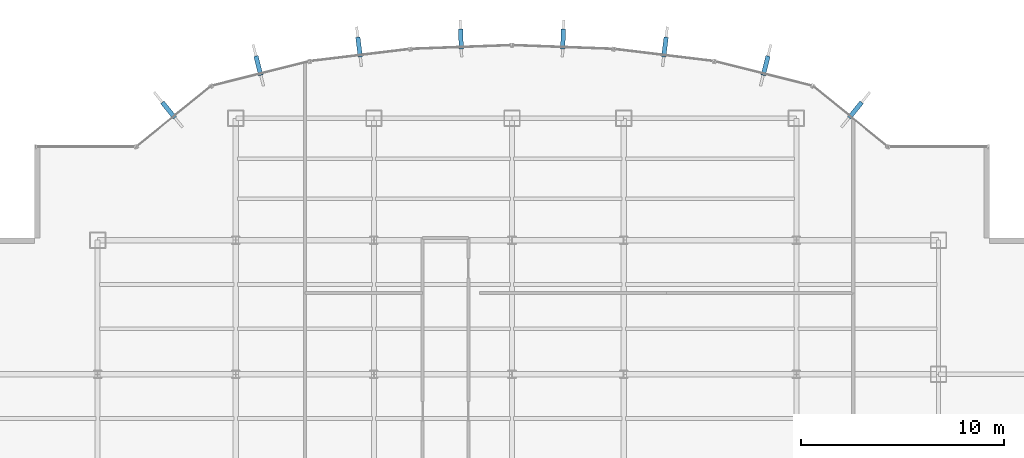
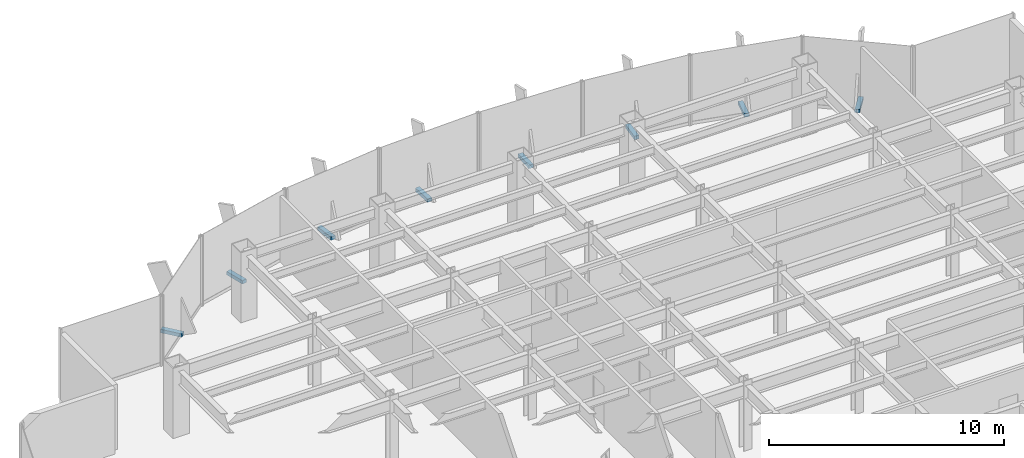
# One storey, part 23 of 26: 8 discrete accessories.
"""IFC4 building model written with IfcOpenShell, lengths in metres."""

from ifc_helpers import new_model, si_unit, derived_unit, direction, frame, origin, origin_2d, place, context, subcontext, project, spatial, rectangle, extrude, source, transform, mapped, material, type_object, element, save


model = new_model("IFC4")

# Units and contexts
model_context = context("Model", 3, precision=1e-05, world=origin(), true_north=direction((0.0, 1.0)))
body_context = subcontext(model_context, "Body", "Model", "MODEL_VIEW")
ifc_project = project(units=[si_unit("LENGTHUNIT", "METRE"), si_unit("AREAUNIT", "SQUARE_METRE"), si_unit("VOLUMEUNIT", "CUBIC_METRE"), si_unit("PLANEANGLEUNIT", "RADIAN"), si_unit("MASSUNIT", "GRAM", prefix="KILO"), derived_unit("THERMALTRANSMITTANCEUNIT", [(si_unit("POWERUNIT", "WATT"), 1), (si_unit("LENGTHUNIT", "METRE"), -2), (si_unit("THERMODYNAMICTEMPERATUREUNIT", "KELVIN"), -1)])], contexts=[model_context])

# Site, building, storey
site_placement = place(None, origin())
site = spatial("IfcSite", under=ifc_project, at=site_placement, CompositionType="ELEMENT")
building_placement = place(site_placement, origin())
building = spatial("IfcBuilding", under=site, at=building_placement, Name="Skarnbrae Concourse Arena and Tower", CompositionType="ELEMENT")
storey_placement = place(building_placement, frame((0.0, 0.0, 95.949951171875)))
storey = spatial("IfcBuildingStorey", under=building, at=storey_placement, Name="L23", CompositionType="ELEMENT", Elevation=95.949951171875)

# Discrete accessories
ifc_material = material(Name="Bronze anodised aluminium 6063-T6", Category="aluminium")
discrete_accessory_type = type_object("IfcDiscreteAccessoryType", Name="ACC-FIN-BRACKET", PredefinedType="BRACKET", material=ifc_material)
shared_shape = source(origin(), body_context, "Body", "SweptSolid", [
    extrude(rectangle(XDim=0.219970703125, YDim=0.97998046875, at=origin_2d()), origin(), (0.0, 0.0, 1.0), 0.179931640625),
])
for number, where, z_axis, x_axis, name in (
    (1, (44.90771484375, 40.80859375, -0.02978515625), (0.0, 0.0, 1.0), (0.776244501415, -0.630431974144, 0.0), "L23 Bronze fin foot support bracket 08"),
    (2, (40.485107421875, 42.992431640625, -0.02978515625), (0.0, 0.0, 1.0), (0.969901771235, -0.243496517748, 0.0), "L23 Bronze fin foot support bracket 09"),
    (3, (35.529541015625, 43.910400390625, -0.02978515625), (0.0, 0.0, 1.0), (0.992748952377, -0.120206146079, 0.0), "L23 Bronze fin foot support bracket 10"),
    (4, (30.514404296875, 44.306640625, -0.02978515625), (0.0, 0.0, 1.0), (0.999308421355, -0.037184392011, 0.0), "L23 Bronze fin foot support bracket 11"),
    (5, (25.485595703125, 44.306640625, -0.02978515625), (0.0, 0.0, 1.0), (0.999308421355, 0.037184392011, 0.0), "L23 Bronze fin foot support bracket 12"),
    (6, (20.470458984375, 43.910400390625, -0.02978515625), (0.0, 0.0, 1.0), (0.992748952377, 0.120206146079, 0.0), "L23 Bronze fin foot support bracket 13"),
    (7, (15.514892578125, 42.992431640625, -0.02978515625), (0.0, 0.0, 1.0), (0.969901771235, 0.243496517748, 0.0), "L23 Bronze fin foot support bracket 14"),
    (8, (11.09228515625, 40.80859375, -0.02978515625), (0.0, 0.0, 1.0), (0.776244501415, 0.630431974144, 0.0), "L23 Bronze fin foot support bracket 15"),
):
    element("IfcDiscreteAccessory", number, at=place(storey_placement, frame(where, z_axis=z_axis, x_axis=x_axis)), inside=storey, type_object=discrete_accessory_type, Name=name, PredefinedType="BRACKET", context=body_context, shape_type="MappedRepresentation", body=[
        mapped(shared_shape, transform((0.0, 0.0, 0.0))),
    ])

save(model, "model.ifc")
